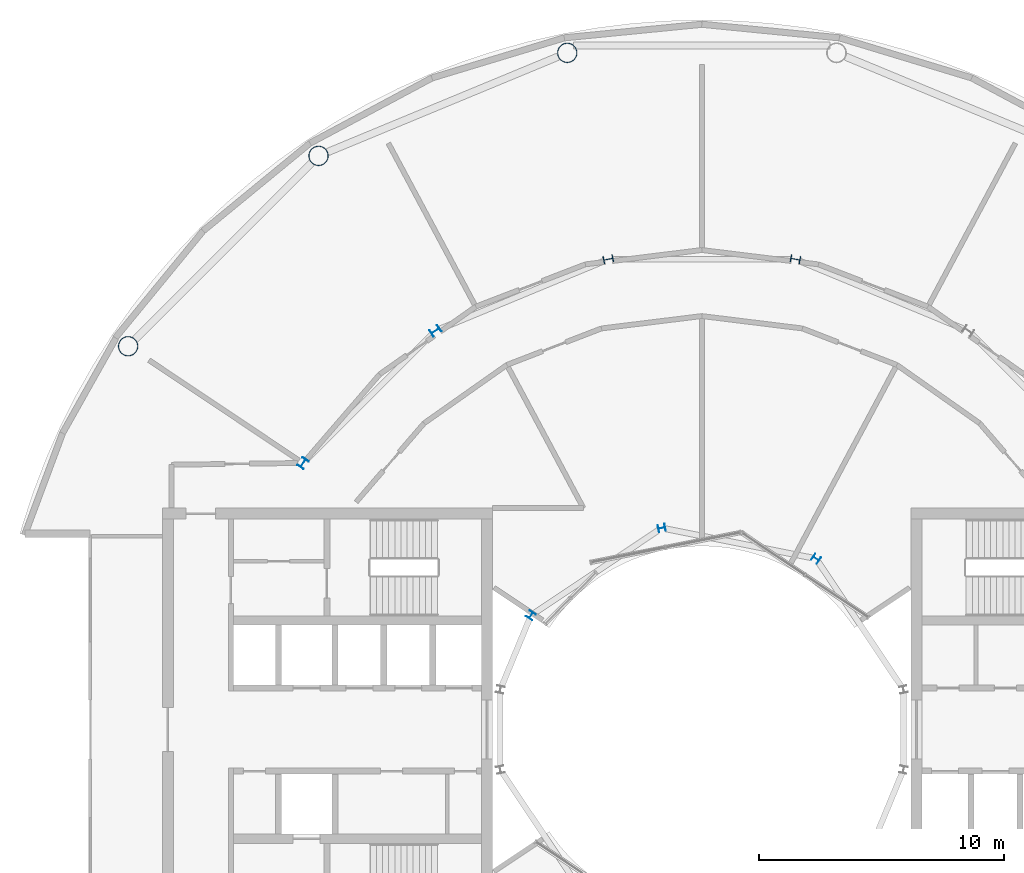
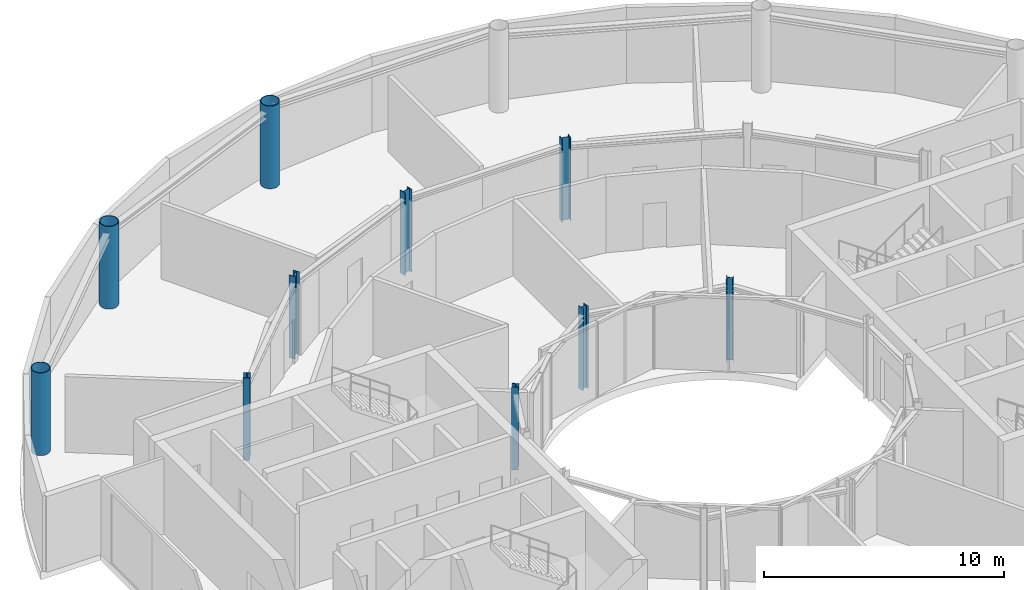
# One storey, part 4 of 19: 10 columns.
"""IFC4 building model written with IfcOpenShell, lengths in metres."""

from ifc_helpers import new_model, si_unit, direction, frame, origin, origin_2d, place, context, subcontext, project, spatial, hollow_circle, i_section, extrude, material, material_profile, profile_set, type_object, element, save


model = new_model("IFC4")

# Units and contexts
model_context = context("Model", 3, precision=1e-05, world=origin(), true_north=direction((0.0, 1.0)))
body_context = subcontext(model_context, "Body", "Model", "MODEL_VIEW")
ifc_project = project(units=[si_unit("LENGTHUNIT", "METRE"), si_unit("AREAUNIT", "SQUARE_METRE"), si_unit("VOLUMEUNIT", "CUBIC_METRE"), si_unit("PLANEANGLEUNIT", "RADIAN"), si_unit("MASSUNIT", "GRAM", prefix="KILO")], contexts=[model_context])

# Site, building, storey
site_placement = place(None, origin())
site = spatial("IfcSite", under=ifc_project, at=site_placement, CompositionType="ELEMENT")
building_placement = place(site_placement, origin())
building = spatial("IfcBuilding", under=site, at=building_placement, Name="Maasbend Ring Residences", CompositionType="ELEMENT")
storey_placement = place(building_placement, frame((0.0, 0.0, 186.0)))
storey = spatial("IfcBuildingStorey", under=building, at=storey_placement, Name="L53", CompositionType="ELEMENT", Elevation=186.0)

# Columns
ifc_material_1 = material(Name="Composite concrete-filled steel tube S460NH / C80/95", Category="concrete")
ifc_material_profile_1 = material_profile(ifc_material_1, hollow_circle(Radius=0.406494140625, WallThickness=0.030029296875, at=origin_2d()), Name="Composite tube column CHS 813x30")
ifc_profile_set_1 = profile_set([ifc_material_profile_1], Name="Composite concrete-filled steel tube S460NH / C80/95")
column_type_1 = type_object("IfcColumnType", Name="Composite tube column CHS 813x30", PredefinedType="COLUMN", material=ifc_profile_set_1)
for number, where, z_axis, x_axis, name in (
    (1, (-5.50146484375, 27.658203125, 0.0), (0.0, 0.0, 1.0), (1.0, 0.0, 0.0), "Outer column R5"),
    (2, (-15.6669921875, 23.447509765625, 0.0), (0.0, 0.0, 1.0), (1.0, 0.0, 0.0), "Outer column R6"),
    (3, (-23.447509765625, 15.6669921875, 0.0), (0.0, 0.0, 1.0), (1.0, 0.0, 0.0), "Outer column R7"),
):
    element("IfcColumn", number, at=place(storey_placement, frame(where, z_axis=z_axis, x_axis=x_axis)), inside=storey, type_object=column_type_1, Name=name, PredefinedType="COLUMN", context=body_context, shape_type="SweptSolid", body=[
        extrude(hollow_circle(Radius=0.406494140625, WallThickness=0.030029296875, at=origin_2d()), origin(), (0.0, 0.0, 1.0), 4.199951171875),
    ])
ifc_material_2 = material(Name="Steel S355J2", Category="steel")
ifc_material_profile_2 = material_profile(ifc_material_2, i_section(OverallWidth=0.300048828125, OverallDepth=0.2900390625, WebThickness=0.008544921875, FlangeThickness=0.013916015625, FilletRadius=0.027099609375, at=origin_2d()), Name="HEA 300")
ifc_profile_set_2 = profile_set([ifc_material_profile_2], Name="Steel S355J2")
column_type_2 = type_object("IfcColumnType", Name="Steel column HEA 300", PredefinedType="COLUMN", material=ifc_profile_set_2)
for number, where, z_axis, x_axis, name in (
    (4, (4.666748046875, 6.984375, 0.0), (0.0, 0.0, 1.0), (0.55557023302, 0.831469612303, 0.0), "Well ring column R3"),
    (5, (-1.638916015625, 8.238525390625, 0.0), (0.0, 0.0, 1.0), (-0.195090322016, 0.980785280403, 0.0), "Well ring column R5"),
    (6, (-6.984375, 4.666748046875, 0.0), (0.0, 0.0, 1.0), (-0.831469612303, 0.55557023302, 0.0), "Well ring column R7"),
):
    element("IfcColumn", number, at=place(storey_placement, frame(where, z_axis=z_axis, x_axis=x_axis)), inside=storey, type_object=column_type_2, Name=name, PredefinedType="COLUMN", context=body_context, shape_type="SweptSolid", body=[
        extrude(i_section(OverallWidth=0.300048828125, OverallDepth=0.2900390625, WebThickness=0.008544921875, FlangeThickness=0.013916015625, FilletRadius=0.027099609375, at=origin_2d()), origin(), (0.0, 0.0, 1.0), 4.199951171875),
    ])
ifc_material_3 = material(Name="Steel S355J2", Category="steel")
ifc_material_profile_3 = material_profile(ifc_material_3, i_section(OverallWidth=0.300048828125, OverallDepth=0.39990234375, WebThickness=0.013427734375, FlangeThickness=0.02392578125, FilletRadius=0.027099609375, at=origin_2d()), Name="HEB 400")
ifc_profile_set_3 = profile_set([ifc_material_profile_3], Name="Steel S355J2")
column_type_3 = type_object("IfcColumnType", Name="Steel column HEB 400", PredefinedType="COLUMN", material=ifc_profile_set_3)
for number, where, z_axis, x_axis, name in (
    (7, (3.82373046875, 19.223388671875, 0.0), (0.0, 0.0, 1.0), (0.195090322016, 0.980785280403, 0.0), "Corridor ring column R4"),
    (8, (-3.82373046875, 19.223388671875, 0.0), (0.0, 0.0, 1.0), (-0.195090322016, 0.980785280403, 0.0), "Corridor ring column R5"),
    (9, (-10.88916015625, 16.296875, 0.0), (0.0, 0.0, 1.0), (-0.55557023302, 0.831469612303, 0.0), "Corridor ring column R6"),
    (10, (-16.296875, 10.88916015625, 0.0), (0.0, 0.0, 1.0), (-0.831469612303, 0.55557023302, 0.0), "Corridor ring column R7"),
):
    element("IfcColumn", number, at=place(storey_placement, frame(where, z_axis=z_axis, x_axis=x_axis)), inside=storey, type_object=column_type_3, Name=name, PredefinedType="COLUMN", context=body_context, shape_type="SweptSolid", body=[
        extrude(i_section(OverallWidth=0.300048828125, OverallDepth=0.39990234375, WebThickness=0.013427734375, FlangeThickness=0.02392578125, FilletRadius=0.027099609375, at=origin_2d()), origin(), (0.0, 0.0, 1.0), 4.199951171875),
    ])

save(model, "model.ifc")
